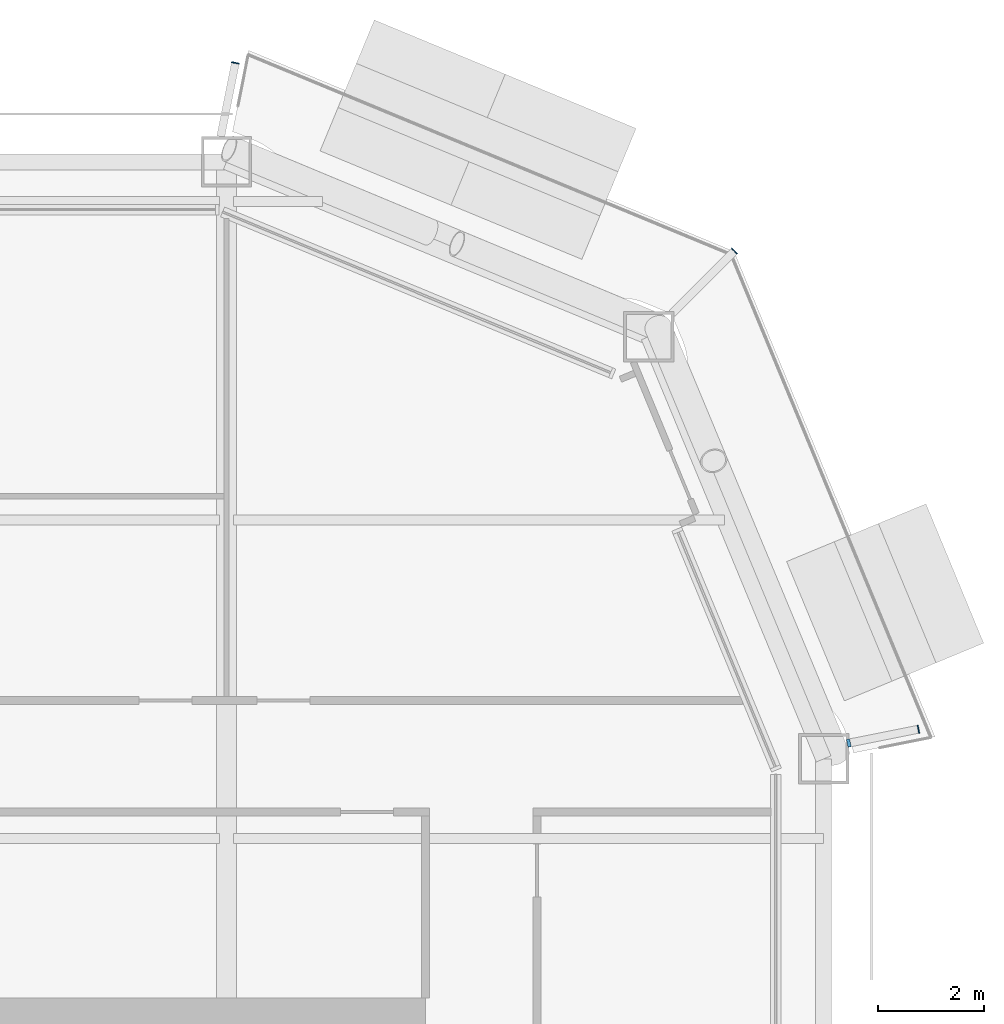
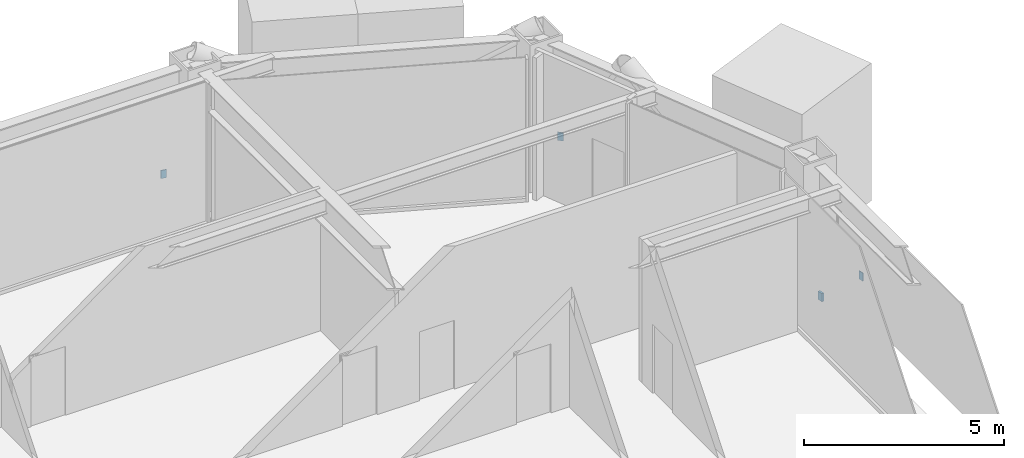
# One storey, part 18 of 24: 4 discrete accessories.
"""IFC4 building model written with IfcOpenShell, lengths in metres."""

from ifc_helpers import new_model, si_unit, direction, frame, origin, origin_2d, place, context, subcontext, project, spatial, rectangle, extrude, material, layer, layer_set, type_object, element, save


model = new_model("IFC4")

# Units and contexts
model_context = context("Model", 3, precision=1e-05, world=origin(), true_north=direction((0.0, 1.0)))
body_context = subcontext(model_context, "Body", "Model", "MODEL_VIEW")
ifc_project = project(units=[si_unit("LENGTHUNIT", "METRE"), si_unit("AREAUNIT", "SQUARE_METRE"), si_unit("VOLUMEUNIT", "CUBIC_METRE"), si_unit("PLANEANGLEUNIT", "RADIAN"), si_unit("MASSUNIT", "GRAM", prefix="KILO")], contexts=[model_context])

# Site, building, storey
site_placement = place(None, origin())
site = spatial("IfcSite", under=ifc_project, at=site_placement, CompositionType="ELEMENT")
building_placement = place(site_placement, origin())
building = spatial("IfcBuilding", under=site, at=building_placement, Name="Siwar Civic Tower", CompositionType="ELEMENT")
storey_placement = place(building_placement, frame((0.0, 0.0, 113.699951171875)))
storey = spatial("IfcBuildingStorey", under=building, at=storey_placement, Name="L24", CompositionType="ELEMENT", Elevation=113.699951171875)

# Discrete accessories
ifc_material_1 = material(Name="Stainless steel 316", Category="steel")
discrete_accessory_type_1 = type_object("IfcDiscreteAccessoryType", Name="ENV-BRACKET", PredefinedType="BRACKET", material=ifc_material_1)
discrete_accessory_placement = place(storey_placement, frame((29.72509765625, 18.29833984375, -0.39990234375), z_axis=(0.0, 0.0, 1.0), x_axis=(0.980785280403, 0.195090322016, 0.0)))
element("IfcDiscreteAccessory", 1, at=discrete_accessory_placement, inside=storey, type_object=discrete_accessory_type_1, Name="Bracket balcony cantilever beam NE 1", PredefinedType="BRACKET", context=body_context, shape_type="SweptSolid", body=[
    extrude(rectangle(XDim=0.06005859375, YDim=0.14990234375, at=origin_2d()), origin(), (0.0, 0.0, 1.0), 0.25),
])
ifc_material_2 = material(Name="Steel S355", Category="steel")
ifc_layer = layer(ifc_material_2, 0.02001953125)
ifc_layer_set = layer_set([ifc_layer], Name="Steel S355")
discrete_accessory_type_2 = type_object("IfcDiscreteAccessoryType", Name="STR-END-CAP", PredefinedType="USERDEFINED", material=ifc_layer_set)
for number, where, z_axis, x_axis, name in (
    (2, (31.036376953125, 18.559326171875, -0.39990234375), (0.0, 0.0, 1.0), (0.980785280366, 0.195090322204, 0.0), "End cap plate Balcony cantilever beam NE 1"),
    (3, (27.5693359375, 27.5693359375, -0.39990234375), (0.0, 0.0, 1.0), (0.707106781187, 0.707106781187, 0.0), "End cap plate Balcony cantilever beam NE 2"),
    (4, (18.1669921875, 31.114501953125, -0.39990234375), (0.0, 0.0, 1.0), (0.195090321913, 0.980785280424, 0.0), "End cap plate Balcony cantilever beam NE 3"),
):
    element("IfcDiscreteAccessory", number, at=place(storey_placement, frame(where, z_axis=z_axis, x_axis=x_axis)), inside=storey, type_object=discrete_accessory_type_2, Name=name, ObjectType="END CAP PLATE", PredefinedType="USERDEFINED", context=body_context, shape_type="SweptSolid", body=[
        extrude(rectangle(XDim=0.02001953125, YDim=0.14990234375, at=origin_2d()), origin(), (0.0, 0.0, 1.0), 0.25),
    ])

save(model, "model.ifc")
